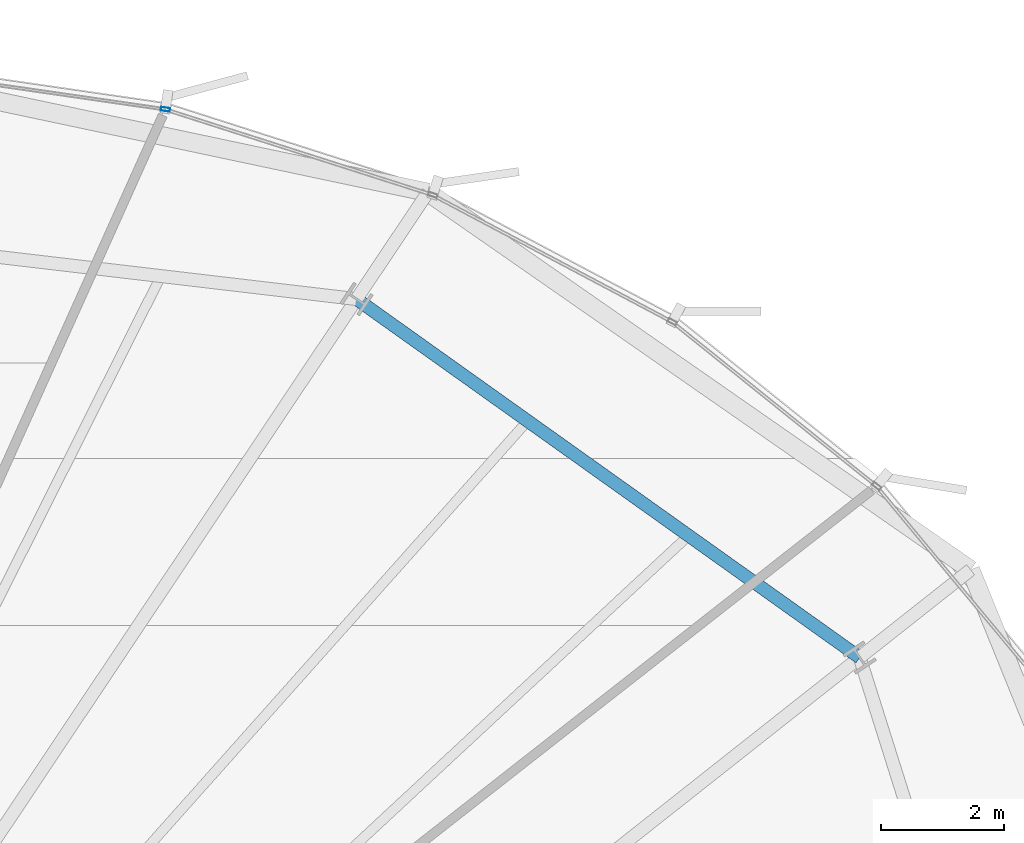
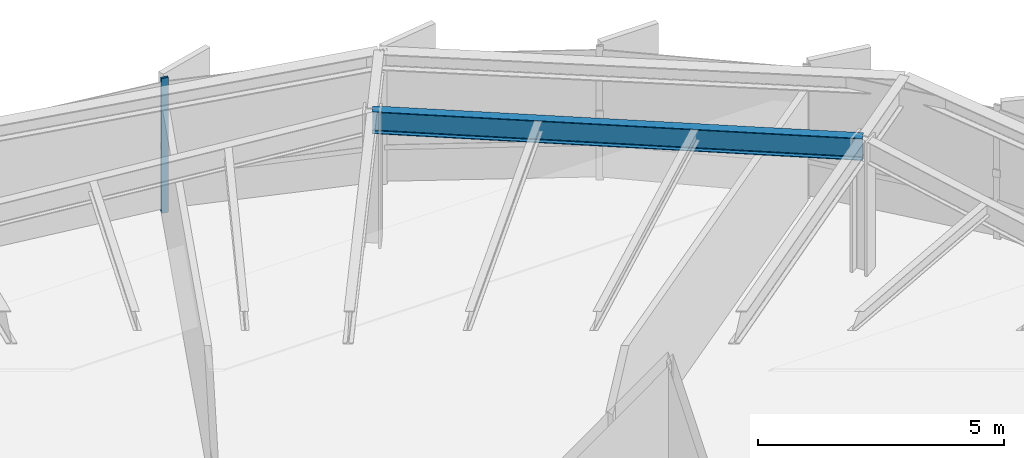
# One storey, part 23 of 35: 1 beam, 1 member, 1 element without a shape of its own.
"""IFC4 building model written with IfcOpenShell, lengths in metres."""

from ifc_helpers import new_model, si_unit, direction, frame, origin, origin_2d, place, context, subcontext, project, spatial, hollow_rectangle, i_section, extrude, source, transform, mapped, material, layer, layer_set, material_profile, profile_set, type_object, element, aggregate, save


model = new_model("IFC4")

# Units and contexts
model_context = context("Model", 3, precision=1e-05, world=origin(), true_north=direction((0.0, 1.0)))
body_context = subcontext(model_context, "Body", "Model", "MODEL_VIEW")
ifc_project = project(units=[si_unit("LENGTHUNIT", "METRE"), si_unit("AREAUNIT", "SQUARE_METRE"), si_unit("VOLUMEUNIT", "CUBIC_METRE"), si_unit("PLANEANGLEUNIT", "RADIAN"), si_unit("MASSUNIT", "GRAM", prefix="KILO"), si_unit("THERMODYNAMICTEMPERATUREUNIT", "KELVIN")], contexts=[model_context])

# Site, building, storey
site_placement = place(None, origin())
site = spatial("IfcSite", under=ifc_project, at=site_placement, CompositionType="ELEMENT")
building_placement = place(site_placement, origin())
building = spatial("IfcBuilding", under=site, at=building_placement, Name="Kethvar Cultural Tower", CompositionType="ELEMENT")
storey_placement = place(building_placement, frame((0.0, 0.0, 121.60009765625)))
storey = spatial("IfcBuildingStorey", under=building, at=storey_placement, Name="L30", CompositionType="ELEMENT", Elevation=121.60009765625)

# Beam
ifc_material_1 = material(Name="Steel S355J2", Category="steel")
ifc_material_profile_1 = material_profile(ifc_material_1, i_section(OverallWidth=0.2099609375, OverallDepth=0.550048828125, WebThickness=0.010986328125, FlangeThickness=0.01708984375, FilletRadius=0.02392578125, at=origin_2d()), Name="Steel S355J2 — IPE550")
ifc_profile_set_1 = profile_set([ifc_material_profile_1], Name="Steel S355J2 — IPE550")
beam_type = type_object("IfcBeamType", Name="BM-IPE550", PredefinedType="BEAM", material=ifc_profile_set_1)
shared_shape_1 = source(origin(), body_context, "Body", "SweptSolid", [
    extrude(i_section(OverallWidth=0.2099609375, OverallDepth=0.550048828125, WebThickness=0.010986328125, FlangeThickness=0.01708984375, FilletRadius=0.02392578125, at=origin_2d()), origin(), (0.0, 0.0, 1.0), 10.0234375),
])
beam_placement = place(storey_placement, frame((68.568603515625, 42.34521484375, 3.072998046875), z_axis=(-0.814470106239, 0.580205520521, 0.0), x_axis=(-0.580205520521, -0.814470106239, 0.0)))
element("IfcBeam", 1, at=beam_placement, inside=storey, type_object=beam_type, Name="L30 Column Ring Tie Beam CR-02", PredefinedType="BEAM", context=body_context, shape_type="MappedRepresentation", body=[
    mapped(shared_shape_1, transform((0.0, 0.0, 0.0), scale=1.0)),
])

# Curtain wall, member
ifc_material_2 = material(Name="Aluminium 6063-T6", Category="aluminium")
ifc_layer = layer(ifc_material_2, 0.179931640625, Name="Aluminium 6063-T6", Category="aluminium")
ifc_layer_set = layer_set([ifc_layer], Name="Aluminium 6063-T6 (180 mm)")
curtain_wall_type = type_object("IfcCurtainWallType", Name="CW-SYS-03-Z2", PredefinedType="NOTDEFINED", material=ifc_layer_set)
curtain_wall_placement = place(storey_placement, origin())
curtain_wall = element("IfcCurtainWall", 2, at=curtain_wall_placement, inside=storey, type_object=curtain_wall_type, Name="L30 Curtain Wall Run 01", PredefinedType="NOTDEFINED")
ifc_material_profile_2 = material_profile(ifc_material_2, hollow_rectangle(XDim=0.06005859375, YDim=0.14990234375, WallThickness=0.0048828125, at=origin_2d()), Name="Aluminium 6063-T6 — RHS150x60x5")
ifc_profile_set_2 = profile_set([ifc_material_profile_2], Name="Aluminium 6063-T6 — RHS150x60x5")
member_type = type_object("IfcMemberType", Name="CW-SYS-03-Z2-MUL", PredefinedType="MULLION", material=ifc_profile_set_2)
shared_shape_2 = source(origin(), body_context, "Body", "SweptSolid", [
    extrude(hollow_rectangle(XDim=0.06005859375, YDim=0.14990234375, WallThickness=0.0048828125, at=origin_2d()), origin(), (0.0, 0.0, 1.0), 3.349853515625),
])
member_placement = place(storey_placement, frame((57.30322265625, 51.2392578125, 0.0), z_axis=(0.0, 0.0, 1.0), x_axis=(-0.143596257255, -0.989636354881, 0.0)))
member = element("IfcMember", 3, at=member_placement, type_object=member_type, Name="CW-L30-R01 Mullion 6", PredefinedType="MULLION", context=body_context, shape_type="MappedRepresentation", body=[
    mapped(shared_shape_2, transform((0.0, 0.0, 0.0), scale=1.0)),
])
aggregate(curtain_wall, [member])

save(model, "model.ifc")
